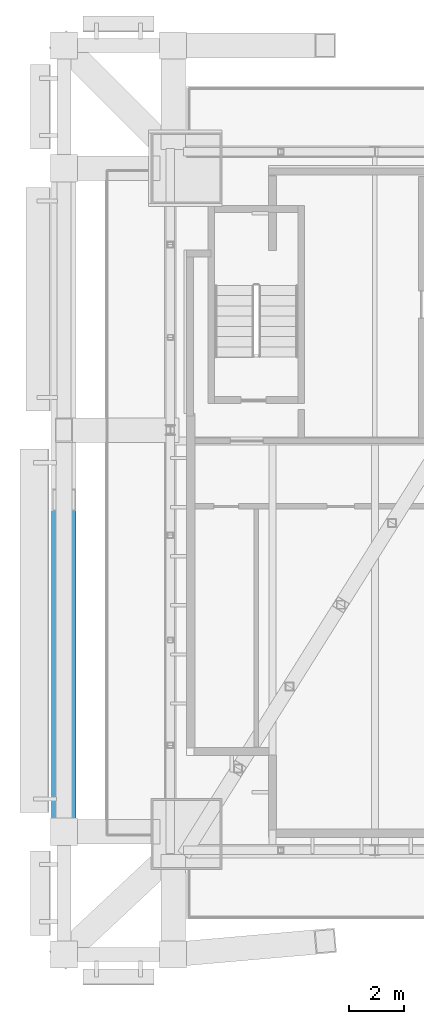
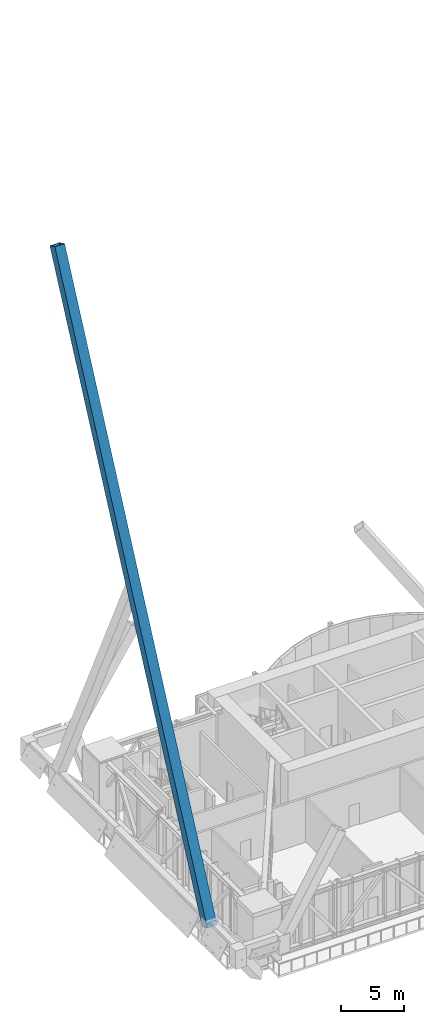
# One storey, part 7 of 31: 1 member.
"""IFC4 building model written with IfcOpenShell, lengths in metres."""

from ifc_helpers import new_model, si_unit, direction, frame, origin, origin_2d, place, context, subcontext, project, spatial, hollow_rectangle, extrude, material, material_profile, profile_set, type_object, element, save


model = new_model("IFC4")

# Units and contexts
model_context = context("Model", 3, precision=1e-05, world=origin(), true_north=direction((0.0, 1.0)))
body_context = subcontext(model_context, "Body", "Model", "MODEL_VIEW")
ifc_project = project(units=[si_unit("LENGTHUNIT", "METRE"), si_unit("AREAUNIT", "SQUARE_METRE"), si_unit("VOLUMEUNIT", "CUBIC_METRE"), si_unit("PLANEANGLEUNIT", "RADIAN"), si_unit("MASSUNIT", "GRAM", prefix="KILO")], contexts=[model_context])

# Site, building, storey
site_placement = place(None, origin())
site = spatial("IfcSite", under=ifc_project, at=site_placement, CompositionType="ELEMENT")
building_placement = place(site_placement, origin())
building = spatial("IfcBuilding", under=site, at=building_placement, Name="Bicima Exchange Tower", CompositionType="ELEMENT")
storey_placement = place(building_placement, frame((0.0, 0.0, 236.0)))
storey = spatial("IfcBuildingStorey", under=building, at=storey_placement, Name="L53", CompositionType="ELEMENT", Elevation=236.0)

# Member
ifc_material = material(Name="Steel ASTM A572 Gr 50", Category="steel")
ifc_material_profile = material_profile(ifc_material, hollow_rectangle(XDim=0.89990234375, YDim=0.89990234375, WallThickness=0.050048828125, at=origin_2d()))
ifc_profile_set = profile_set([ifc_material_profile], Name="Steel ASTM A572 Gr 50")
member_type = type_object("IfcMemberType", Name="Exo mega brace BOX 900x900x50", PredefinedType="BRACE", material=ifc_profile_set)
member_placement = place(storey_placement, frame((-37.5, -27.32861328125, 4.5), z_axis=(0.0, 0.426460147734, 0.904506352877), x_axis=(-1.0, 0.0, 0.0)))
element("IfcMember", 1, at=member_placement, inside=storey, type_object=member_type, Name="Exo mega brace end", PredefinedType="BRACE", context=body_context, shape_type="SweptSolid", body=[
    extrude(hollow_rectangle(XDim=0.89990234375, YDim=0.89990234375, WallThickness=0.050048828125, at=origin_2d()), origin(), (0.0, 0.0, 1.0), 57.0478515625),
])

save(model, "model.ifc")
